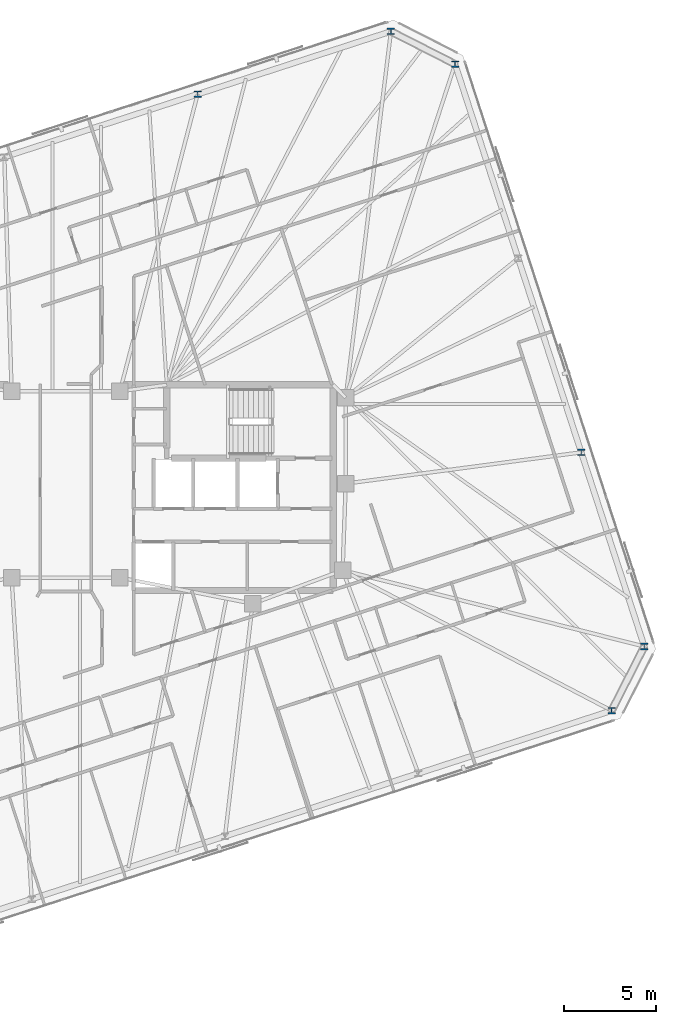
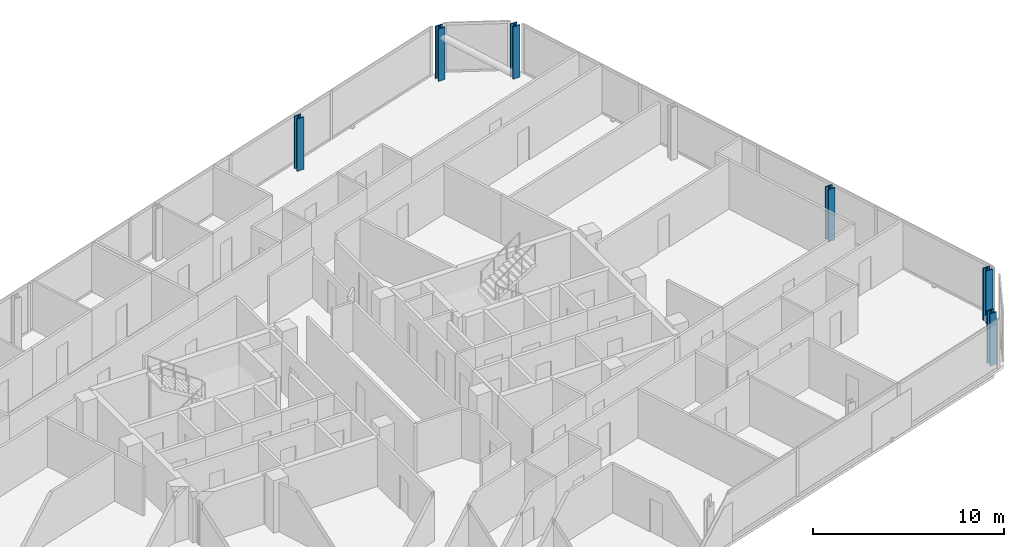
# One storey, part 4 of 20: 6 columns.
"""IFC4 building model written with IfcOpenShell, lengths in metres."""

from ifc_helpers import new_model, si_unit, direction, frame, origin, origin_2d, place, context, subcontext, project, spatial, i_section, extrude, material, material_profile, profile_set, type_object, element, save


model = new_model("IFC4")

# Units and contexts
model_context = context("Model", 3, precision=1e-05, world=origin(), true_north=direction((0.0, 1.0)))
body_context = subcontext(model_context, "Body", "Model", "MODEL_VIEW")
ifc_project = project(units=[si_unit("LENGTHUNIT", "METRE"), si_unit("AREAUNIT", "SQUARE_METRE"), si_unit("VOLUMEUNIT", "CUBIC_METRE"), si_unit("PLANEANGLEUNIT", "RADIAN"), si_unit("MASSUNIT", "GRAM", prefix="KILO")], contexts=[model_context])

# Site, building, storey
site_placement = place(None, origin())
site = spatial("IfcSite", under=ifc_project, at=site_placement, CompositionType="ELEMENT")
building_placement = place(site_placement, origin())
building = spatial("IfcBuilding", under=site, at=building_placement, Name="Menara Jurai Vektor", CompositionType="ELEMENT")
storey_placement = place(building_placement, frame((0.0, 0.0, 227.64990234375)))
storey = spatial("IfcBuildingStorey", under=building, at=storey_placement, Name="L60", CompositionType="ELEMENT", Elevation=227.64990234375)

# Columns
ifc_material = material(Name="Steel S460", Category="steel")
ifc_material_profile = material_profile(ifc_material, i_section(OverallWidth=0.405029296875, OverallDepth=0.35498046875, WebThickness=0.0419921875, FlangeThickness=0.068115234375, FilletRadius=0.014892578125, at=origin_2d()), Name="HD 400x551")
ifc_profile_set = profile_set([ifc_material_profile], Name="Steel S460")
column_type = type_object("IfcColumnType", Name="STR-EXO-BLK4", PredefinedType="COLUMN", material=ifc_profile_set)
for number, where, z_axis, x_axis, name in (
    (1, (29.733642578125, -12.14501953125, 0.0), (0.0, 0.0, 1.0), (1.0, 0.0, 0.0), "Exoskeleton Column BLK4-S6 L60"),
    (2, (31.513427734375, -8.652099609375, 0.0), (0.0, 0.0, 1.0), (1.0, 0.0, 0.0), "Exoskeleton Column BLK4-E1 L60"),
    (3, (28.07763671875, 1.92236328125, 0.0), (0.0, 0.0, 1.0), (1.0, 0.0, 0.0), "Exoskeleton Column BLK4-E2 L60"),
    (4, (21.2060546875, 23.071044921875, 0.0), (0.0, 0.0, 1.0), (1.0, 0.0, 0.0), "Exoskeleton Column BLK4-E4 L60"),
    (5, (17.712890625, 24.85107421875, 0.0), (0.0, 0.0, 1.0), (1.0, 0.0, 0.0), "Exoskeleton Column BLK4-N1 L60"),
    (6, (7.18359375, 21.4296875, 0.0), (0.0, 0.0, 1.0), (1.0, 0.0, 0.0), "Exoskeleton Column BLK4-N2 L60"),
):
    element("IfcColumn", number, at=place(storey_placement, frame(where, z_axis=z_axis, x_axis=x_axis)), inside=storey, type_object=column_type, Name=name, PredefinedType="COLUMN", context=body_context, shape_type="SweptSolid", body=[
        extrude(i_section(OverallWidth=0.405029296875, OverallDepth=0.35498046875, WebThickness=0.0419921875, FlangeThickness=0.068115234375, FilletRadius=0.014892578125, at=origin_2d()), origin(), (0.0, 0.0, 1.0), 3.35009765625),
    ])

save(model, "model.ifc")
